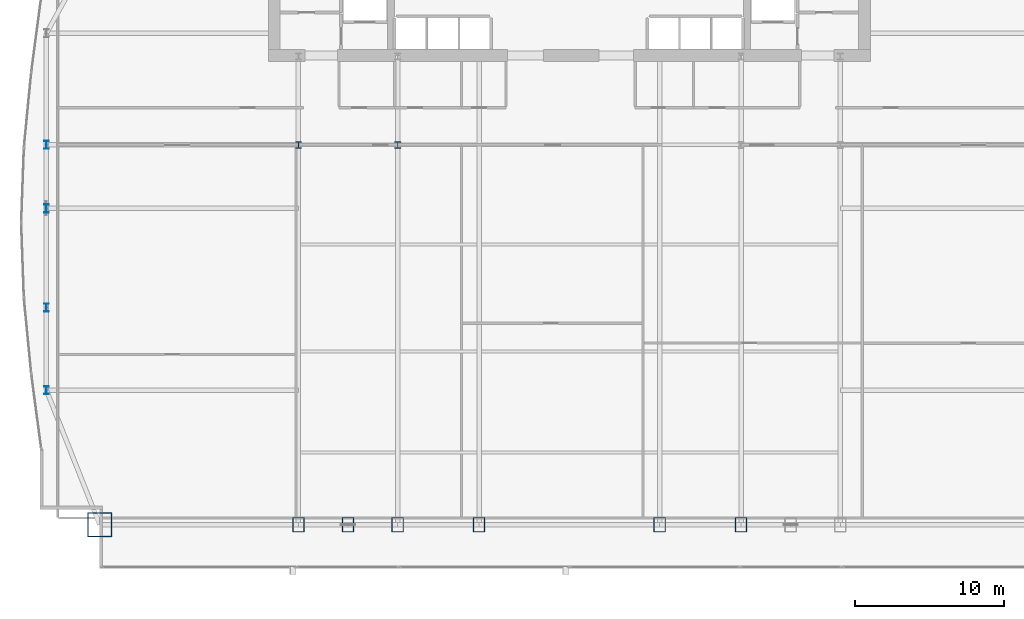
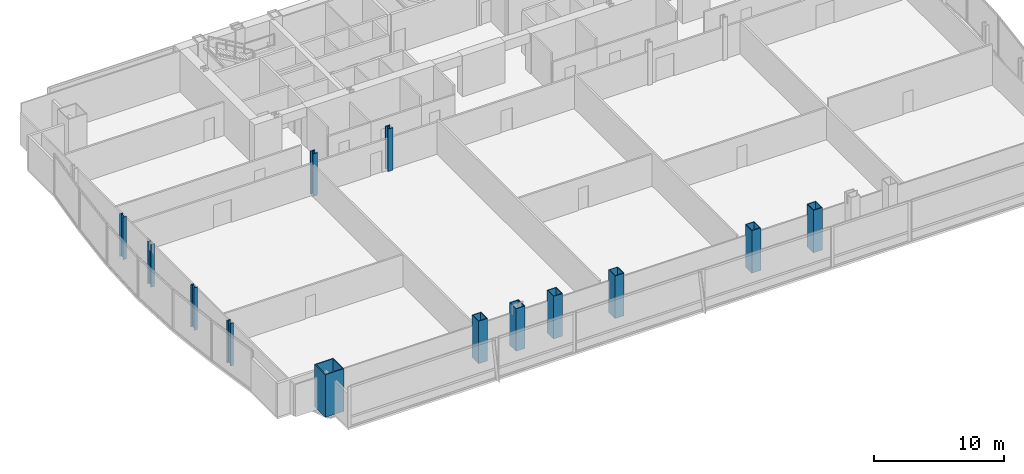
# One storey, part 1 of 35: 13 columns.
"""IFC4 building model written with IfcOpenShell, lengths in metres."""

import ifcopenshell
import ifcopenshell.guid

model = None  # the IFC model being written
_history = None  # IfcOwnerHistory: only IFC2X3 demands one
_inside = {}  # id of a spatial element -> (the spatial element, [elements in it])
_under = {}  # id of a project, library or spatial element -> (it, [spatial elements below it])
_declared = {}  # id of a project -> (the project, [libraries it declares])
_typed = {}  # id of a type object -> (the type object, [elements of that type])
_made_of = {}  # id of a material, layer set ... -> (it, [elements and type objects made of it])


def new_model(schema):
    """Start an empty IFC model of exactly this schema.

    Asked for "IFC4X3", IfcOpenShell would pick the latest addendum, in which some entities
    have other attributes; the version numbers below select the first issue.
    IFC2X3 requires an IfcOwnerHistory on every rooted entity: one is made here for all.
    """
    global model, _history
    if schema == "IFC4X3":
        model = ifcopenshell.file(schema_version=(4, 3, 0, 0))
    else:
        model = ifcopenshell.file(schema=schema)
    _inside.clear()
    _under.clear()
    _declared.clear()
    _typed.clear()
    _made_of.clear()
    _history = None
    if model.schema == "IFC2X3":
        org = make("IfcOrganization", Name="unknown")
        user = make(
            "IfcPersonAndOrganization",
            ThePerson=make("IfcPerson", FamilyName="unknown"),
            TheOrganization=org,
        )
        app = make(
            "IfcApplication",
            ApplicationDeveloper=org,
            Version="unknown",
            ApplicationFullName="unknown",
            ApplicationIdentifier="unknown",
        )
        _history = make(
            "IfcOwnerHistory",
            OwningUser=user,
            OwningApplication=app,
            ChangeAction="ADDED",
            CreationDate=0,
        )
    return model


def make(cls, **values):
    """One entity of the class cls with the attributes given. An attribute that is None is left unset."""
    return model.create_entity(
        cls, **{name: value for name, value in values.items() if value is not None}
    )


def rooted(cls, **values):
    """An entity with a GlobalId (a new one), such as an element, a storey or a relation."""
    return make(cls, GlobalId=ifcopenshell.guid.new(), OwnerHistory=_history, **values)


def si_unit(unit_type, name, prefix=None):
    """IfcSIUnit, for example si_unit("LENGTHUNIT", "METRE", prefix="MILLI")."""
    return make("IfcSIUnit", UnitType=unit_type, Prefix=prefix, Name=name)


def assignment(units):
    """IfcUnitAssignment: the units of a project."""
    return None if units is None else make("IfcUnitAssignment", Units=units)


def point(xyz):
    """IfcCartesianPoint."""
    return None if xyz is None else make("IfcCartesianPoint", Coordinates=xyz)


def direction(xyz):
    """IfcDirection."""
    return None if xyz is None else make("IfcDirection", DirectionRatios=xyz)


def frame(location, z_axis=None, x_axis=None):
    """IfcAxis2Placement3D, a coordinate frame: its origin and axes. An axis left out is left unset."""
    return make(
        "IfcAxis2Placement3D",
        Location=point(location),
        Axis=direction(z_axis),
        RefDirection=direction(x_axis),
    )


def frame_2d(location, x_axis=None):
    """IfcAxis2Placement2D, a coordinate frame in the plane: its origin and x axis."""
    return make(
        "IfcAxis2Placement2D", Location=point(location), RefDirection=direction(x_axis)
    )


def origin():
    """The frame at (0, 0, 0) with its axes left unset."""
    return frame((0.0, 0.0, 0.0))


def origin_2d():
    """The frame at (0, 0) in the plane with its x axis left unset."""
    return frame_2d((0.0, 0.0))


def place(relative_to, where):
    """IfcLocalPlacement: puts the frame where relative to a parent placement (None: the world)."""
    return make(
        "IfcLocalPlacement", PlacementRelTo=relative_to, RelativePlacement=where
    )


def context(
    kind, dimensions, precision=None, world=None, true_north=None, identifier=None
):
    """IfcGeometricRepresentationContext, for example the 3D "Model" context."""
    return make(
        "IfcGeometricRepresentationContext",
        ContextIdentifier=identifier,
        ContextType=kind,
        CoordinateSpaceDimension=dimensions,
        Precision=precision,
        WorldCoordinateSystem=world,
        TrueNorth=true_north,
    )


def subcontext(parent, identifier, kind, view, scale=None):
    """IfcGeometricRepresentationSubContext, for example "Body" below "Model"."""
    return make(
        "IfcGeometricRepresentationSubContext",
        ContextIdentifier=identifier,
        ContextType=kind,
        ParentContext=parent,
        TargetScale=scale,
        TargetView=view,
    )


def project(units=None, contexts=None):
    """IfcProject with its units and contexts."""
    return rooted(
        "IfcProject",
        Name="project",
        RepresentationContexts=contexts,
        UnitsInContext=assignment(units),
    )


def spatial(cls, under=None, at=None, **own):
    """A site, building, storey or space (cls), placed at a placement, below another one or the project."""
    s = rooted(cls, ObjectPlacement=at, **own)
    if under is not None:
        _under.setdefault(under.id(), (under, []))[1].append(s)
    return s


def profile(cls, at=None, kind="AREA", **sizes):
    """A parametric profile (cls). Its sizes go by their IFC names, for example OverallWidth=200.0."""
    return make(cls, ProfileType=kind, Position=at, **sizes)


def hollow_rectangle(**sizes):
    """IfcRectangleHollowProfileDef."""
    return profile("IfcRectangleHollowProfileDef", **sizes)


def i_section(**sizes):
    """IfcIShapeProfileDef."""
    return profile("IfcIShapeProfileDef", **sizes)


def extrude(swept, where, along, depth):
    """IfcExtrudedAreaSolid: the profile swept, set in the frame where, extruded along a direction by depth."""
    return make(
        "IfcExtrudedAreaSolid",
        SweptArea=swept,
        Position=where,
        ExtrudedDirection=direction(along),
        Depth=depth,
    )


def shape(context_of_items, identifier, shape_type, items):
    """IfcShapeRepresentation: the items that make up one representation, for example the "Body"."""
    return make(
        "IfcShapeRepresentation",
        ContextOfItems=context_of_items,
        RepresentationIdentifier=identifier,
        RepresentationType=shape_type,
        Items=items,
    )


def material(Name=None, Category=None):
    """IfcMaterial."""
    return make("IfcMaterial", Name=Name, Category=Category)


def material_profile(
    of_material, cross_section, Name=None, Category=None, Priority=None
):
    """IfcMaterialProfile: a cross section and its material."""
    return make(
        "IfcMaterialProfile",
        Name=Name,
        Material=of_material,
        Profile=cross_section,
        Priority=Priority,
        Category=Category,
    )


def profile_set(profiles, Name=None, composite=None):
    """IfcMaterialProfileSet."""
    return make(
        "IfcMaterialProfileSet",
        Name=Name,
        MaterialProfiles=profiles,
        CompositeProfile=composite,
    )


def made_of(thing, what):
    """Note that an element or type object is made of a material, layer set ...; save() writes the relation."""
    if what is not None:
        _made_of.setdefault(what.id(), (what, []))[1].append(thing)
    return thing


def type_object(cls, material=None, **own):
    """A type object (cls), such as IfcWallType, which elements share."""
    return made_of(rooted(cls, **own), material)


def element(
    cls,
    number,
    at=None,
    inside=None,
    cuts=None,
    type_object=None,
    material=None,
    context=None,
    identifier="Body",
    shape_type=None,
    held_by="IfcProductDefinitionShape",
    body=None,
    shapes=None,
    **own,
):
    """One element of the class cls, such as IfcWall. Its Tag is "e" and its number.

    at: its placement. inside: the storey or other place that contains it. cuts: it is an
    opening in that element (IfcRelVoidsElement). A single representation is given by context,
    identifier, shape_type and body (its items); several are given by shapes. held_by: the class
    of the entity that holds the representations. save() writes the other relations.
    """
    e = rooted(cls, Tag="e%d" % number, ObjectPlacement=at, **own)
    if body is not None:
        shapes = [shape(context, identifier, shape_type, body)]
    if shapes is not None:
        e.Representation = make(held_by, Representations=shapes)
    if inside is not None:
        _inside.setdefault(inside.id(), (inside, []))[1].append(e)
    if cuts is not None:
        rooted(
            "IfcRelVoidsElement", RelatingBuildingElement=cuts, RelatedOpeningElement=e
        )
    if type_object is not None:
        _typed.setdefault(type_object.id(), (type_object, []))[1].append(e)
    return made_of(e, material)


def aggregate(whole, parts):
    """IfcRelAggregates: a whole, such as a stair, and the parts it consists of."""
    return rooted("IfcRelAggregates", RelatingObject=whole, RelatedObjects=parts)


def save(model, path):
    """Write the relations noted so far, then the file.

    IfcRelAggregates (storeys below a building ...), IfcRelContainedInSpatialStructure (elements
    in a storey), IfcRelDefinesByType, IfcRelAssociatesMaterial and IfcRelDeclares: one each for
    every whole, place, type object, material and project.
    """
    for whole, parts in _under.values():
        aggregate(whole, parts)
    for where, things in _inside.values():
        rooted(
            "IfcRelContainedInSpatialStructure",
            RelatedElements=things,
            RelatingStructure=where,
        )
    for kind, things in _typed.values():
        rooted("IfcRelDefinesByType", RelatedObjects=things, RelatingType=kind)
    for what, things in _made_of.values():
        rooted("IfcRelAssociatesMaterial", RelatedObjects=things, RelatingMaterial=what)
    for by, libraries in _declared.values():
        rooted("IfcRelDeclares", RelatingContext=by, RelatedDefinitions=libraries)
    model.write(path)


model = new_model("IFC4")

# Units and contexts
model_context = context("Model", 3, precision=1e-05, world=origin(), true_north=direction((0.0, 1.0)))
body_context = subcontext(model_context, "Body", "Model", "MODEL_VIEW")
ifc_project = project(units=[si_unit("LENGTHUNIT", "METRE"), si_unit("AREAUNIT", "SQUARE_METRE"), si_unit("VOLUMEUNIT", "CUBIC_METRE"), si_unit("PLANEANGLEUNIT", "RADIAN"), si_unit("MASSUNIT", "GRAM", prefix="KILO")], contexts=[model_context])

# Site, building, storey
site_placement = place(None, origin())
site = spatial("IfcSite", under=ifc_project, at=site_placement, CompositionType="ELEMENT")
building_placement = place(site_placement, origin())
building = spatial("IfcBuilding", under=site, at=building_placement, Name="Khoronbel Lancet Exchange", CompositionType="ELEMENT")
storey_placement = place(building_placement, frame((0.0, 0.0, 69.800048828125)))
storey = spatial("IfcBuildingStorey", under=building, at=storey_placement, Name="L16", CompositionType="ELEMENT", Elevation=69.800048828125)

# Columns
ifc_material_1 = material(Name="Steel S460", Category="steel")
ifc_material_profile_1 = material_profile(ifc_material_1, hollow_rectangle(XDim=0.800048828125, YDim=1.0, WallThickness=0.054931640625, at=origin_2d()), Name="BOX 1000x800x55")
ifc_profile_set_1 = profile_set([ifc_material_profile_1], Name="Steel S460")
column_type_1 = type_object("IfcColumnType", Name="COL-EC1", PredefinedType="COLUMN", material=ifc_profile_set_1)
for number, where, z_axis, x_axis, name in (
    (1, (18.22509765625, 10.14990234375, 0.0), (0.0, 0.0, 1.0), (1.0, 0.0, 0.0), "Structural column SC-W1 L16"),
    (2, (21.5625, 10.14990234375, 0.0), (0.0, 0.0, 1.0), (1.0, 0.0, 0.0), "Structural column SC-WM L16"),
    (3, (24.89990234375, 10.14990234375, 0.0), (0.0, 0.0, 1.0), (1.0, 0.0, 0.0), "Structural column SC-W2 L16"),
    (4, (30.375, 10.14990234375, 0.0), (0.0, 0.0, 1.0), (1.0, 0.0, 0.0), "Structural column SC-C1 L16"),
    (5, (42.52490234375, 10.14990234375, 0.0), (0.0, 0.0, 1.0), (1.0, 0.0, 0.0), "Structural column SC-C2 L16"),
    (6, (48.0, 10.14990234375, 0.0), (0.0, 0.0, 1.0), (1.0, 0.0, 0.0), "Structural column SC-E1 L16"),
):
    element("IfcColumn", number, at=place(storey_placement, frame(where, z_axis=z_axis, x_axis=x_axis)), inside=storey, type_object=column_type_1, Name=name, PredefinedType="COLUMN", context=body_context, shape_type="SweptSolid", body=[
        extrude(hollow_rectangle(XDim=0.800048828125, YDim=1.0, WallThickness=0.054931640625, at=origin_2d()), origin(), (0.0, 0.0, 1.0), 4.0),
    ])
ifc_material_profile_2 = material_profile(ifc_material_1, i_section(OverallWidth=0.424072265625, OverallDepth=0.47412109375, WebThickness=0.047607421875, FlangeThickness=0.076904296875, at=origin_2d()), Name="HD 400x634")
ifc_profile_set_2 = profile_set([ifc_material_profile_2], Name="Steel S460")
column_type_2 = type_object("IfcColumnType", Name="COL-IC1", PredefinedType="COLUMN", material=ifc_profile_set_2)
for number, where, z_axis, x_axis, name in (
    (7, (18.22509765625, 35.699951171875, 0.0), (0.0, 0.0, 1.0), (1.0, 0.0, 0.0), "Spine gravity column TC1 L16"),
    (8, (24.89990234375, 35.699951171875, 0.0), (0.0, 0.0, 1.0), (1.0, 0.0, 0.0), "Spine gravity column TC2 L16"),
):
    element("IfcColumn", number, at=place(storey_placement, frame(where, z_axis=z_axis, x_axis=x_axis)), inside=storey, type_object=column_type_2, Name=name, PredefinedType="COLUMN", context=body_context, shape_type="SweptSolid", body=[
        extrude(i_section(OverallWidth=0.424072265625, OverallDepth=0.47412109375, WebThickness=0.047607421875, FlangeThickness=0.076904296875, at=origin_2d()), origin(), (0.0, 0.0, 1.0), 4.0),
    ])
ifc_material_2 = material(Name="Steel S355", Category="steel")
ifc_material_profile_3 = material_profile(ifc_material_2, i_section(OverallWidth=0.300048828125, OverallDepth=0.550048828125, WebThickness=0.014892578125, FlangeThickness=0.029052734375, at=origin_2d()), Name="HEB 550")
ifc_profile_set_3 = profile_set([ifc_material_profile_3], Name="Steel S355")
column_type_3 = type_object("IfcColumnType", Name="COL-LC1", PredefinedType="COLUMN", material=ifc_profile_set_3)
for number, where, z_axis, x_axis, name in (
    (9, (1.27001953125, 19.199951171875, 0.0), (0.0, 0.0, 1.0), (1.0, 0.0, 0.0), "Structural column WC-1 L16"),
    (10, (1.27001953125, 24.75, 0.0), (0.0, 0.0, 1.0), (1.0, 0.0, 0.0), "Structural column WC-2 L16"),
    (11, (1.27001953125, 31.425048828125, 0.0), (0.0, 0.0, 1.0), (1.0, 0.0, 0.0), "Structural column WC-M L16"),
    (12, (1.27001953125, 35.699951171875, 0.0), (0.0, 0.0, 1.0), (1.0, 0.0, 0.0), "Structural column WC-3 L16"),
):
    element("IfcColumn", number, at=place(storey_placement, frame(where, z_axis=z_axis, x_axis=x_axis)), inside=storey, type_object=column_type_3, Name=name, PredefinedType="COLUMN", context=body_context, shape_type="SweptSolid", body=[
        extrude(i_section(OverallWidth=0.300048828125, OverallDepth=0.550048828125, WebThickness=0.014892578125, FlangeThickness=0.029052734375, at=origin_2d()), origin(), (0.0, 0.0, 1.0), 4.0),
    ])
ifc_material_profile_4 = material_profile(ifc_material_1, hollow_rectangle(XDim=1.64990234375, YDim=1.64990234375, WallThickness=0.074951171875, at=origin_2d()), Name="BOX 1650x1650x75")
ifc_profile_set_4 = profile_set([ifc_material_profile_4], Name="Steel S460")
column_type_4 = type_object("IfcColumnType", Name="COL-MC2", PredefinedType="COLUMN", material=ifc_profile_set_4)
column_placement = place(storey_placement, frame((4.85009765625, 10.14990234375, 0.0), z_axis=(0.0, 0.0, 1.0), x_axis=(1.0, 0.0, 0.0)))
element("IfcColumn", 13, at=column_placement, inside=storey, type_object=column_type_4, Name="Structural column MC-SW L16", PredefinedType="COLUMN", context=body_context, shape_type="SweptSolid", body=[
    extrude(hollow_rectangle(XDim=1.64990234375, YDim=1.64990234375, WallThickness=0.074951171875, at=origin_2d()), origin(), (0.0, 0.0, 1.0), 4.0),
])

save(model, "model.ifc")
